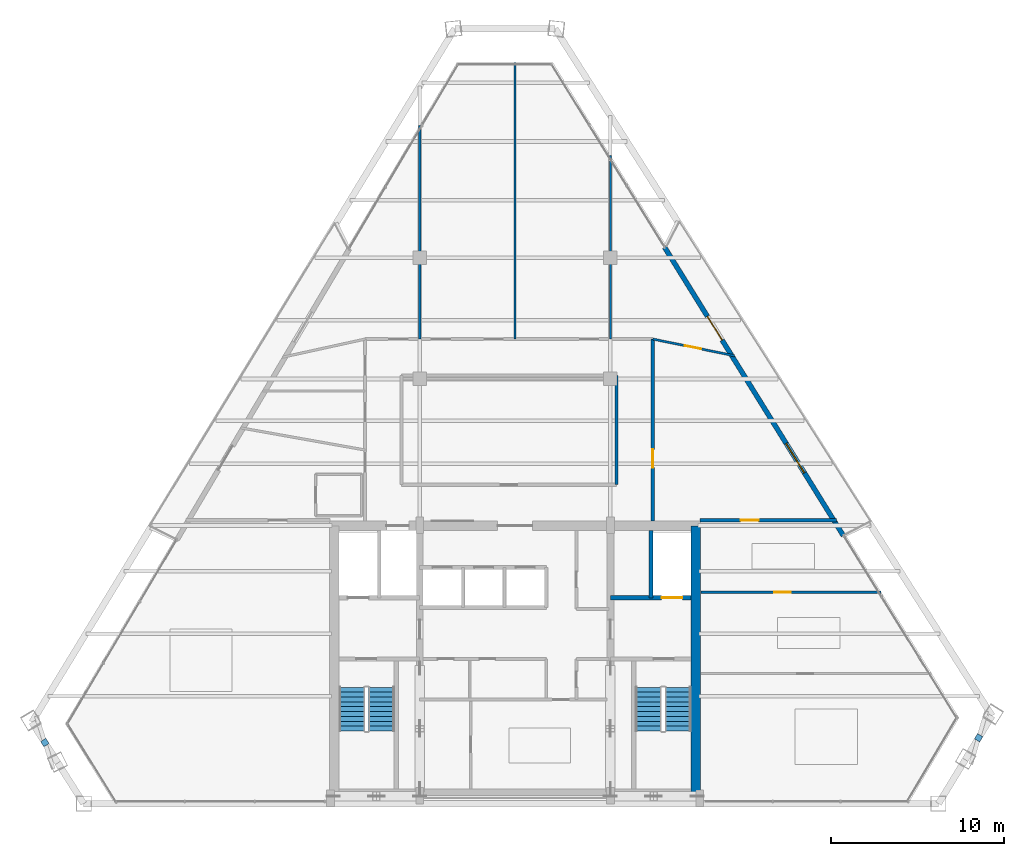
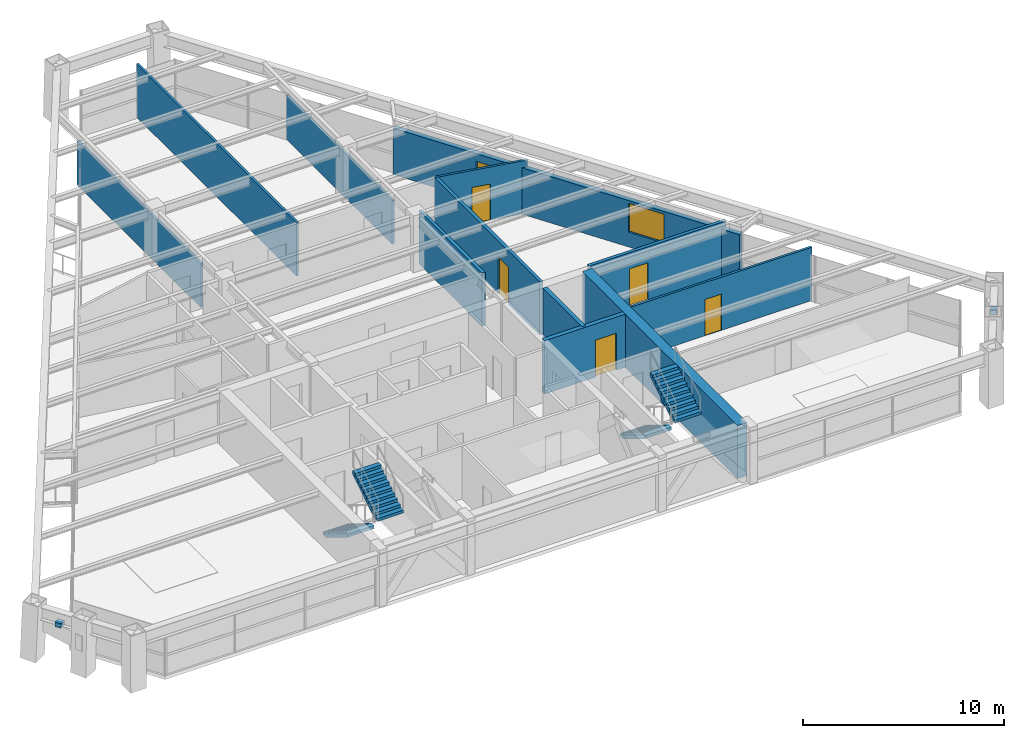
# One storey, part 10 of 12: 12 walls, 6 doors, 4 stair flights, 2 discrete accessories, 1 window, 7 openings, 2 elements without a shape of their own.
"""IFC4 building model written with IfcOpenShell, lengths in metres."""

from ifc_helpers import new_model, si_unit, direction, frame, frame_2d, origin, origin_2d, place, context, subcontext, project, spatial, polyline, rectangle, outline, extrude, source, transform, mapped, material, layer, layer_set, type_object, type_shapes, element, fill, aggregate, save


model = new_model("IFC4")

# Units and contexts
model_context = context("Model", 3, precision=1e-05, world=origin(), true_north=direction((0.0, 1.0)))
body_context = subcontext(model_context, "Body", "Model", "MODEL_VIEW")
ifc_project = project(units=[si_unit("LENGTHUNIT", "METRE"), si_unit("AREAUNIT", "SQUARE_METRE"), si_unit("VOLUMEUNIT", "CUBIC_METRE"), si_unit("PLANEANGLEUNIT", "RADIAN"), si_unit("MASSUNIT", "GRAM", prefix="KILO")], contexts=[model_context])

# Site, building, storey
site_placement = place(None, origin())
site = spatial("IfcSite", under=ifc_project, at=site_placement, CompositionType="ELEMENT")
building_placement = place(site_placement, origin())
building = spatial("IfcBuilding", under=site, at=building_placement, Name="Varnakhor Terracotta Tower", CompositionType="ELEMENT")
storey_placement = place(building_placement, frame((0.0, 0.0, 233.800048828125)))
storey = spatial("IfcBuildingStorey", under=building, at=storey_placement, Name="L60", CompositionType="ELEMENT", Elevation=233.800048828125)

# Walls
ifc_material_1 = material(Name="Concrete C50/60", Category="concrete")
ifc_layer_1 = layer(ifc_material_1, 0.550048828125, Name="Concrete C50/60")
ifc_layer_set_1 = layer_set([ifc_layer_1], Name="Concrete C50/60")
wall_type_1 = type_object("IfcWallType", Name="WAL-CORE-550", PredefinedType="SHEAR", material=ifc_layer_set_1)
wall_1_placement = place(storey_placement, frame((10.425048828125, 0.574951171875, 0.0), z_axis=(0.0, 0.0, 1.0), x_axis=(0.0, 1.0, 0.0)))
element("IfcWall", 1, at=wall_1_placement, inside=storey, type_object=wall_type_1, Name="L60 East Core Shear Wall", PredefinedType="SHEAR", context=body_context, shape_type="SweptSolid", body=[
    extrude(rectangle(XDim=15.449951171875, YDim=0.550048828125, at=frame_2d((7.72509765625, 0.0))), origin(), (0.0, 0.0, 1.0), 3.239990234375),
])
ifc_material_2 = material(Name="Fire-Rated Gypsum Stud Partition", Category="gypsum")
ifc_layer_2 = layer(ifc_material_2, 0.18505859375, Name="Fire-Rated Gypsum Stud Partition")
ifc_layer_set_2 = layer_set([ifc_layer_2], Name="Fire-Rated Gypsum Stud Partition")
wall_type_2 = type_object("IfcWallType", Name="WAL-CORR-185", PredefinedType="PARTITIONING", material=ifc_layer_set_2)
wall_2_placement = place(storey_placement, frame((5.85009765625, 18.39990234375, 0.0), z_axis=(0.0, 0.0, 1.0), x_axis=(0.0, 1.0, 0.0)))
element("IfcWall", 2, at=wall_2_placement, inside=storey, type_object=wall_type_2, Name="L60 Ring Inner East Wall", PredefinedType="PARTITIONING", context=body_context, shape_type="SweptSolid", body=[
    extrude(rectangle(XDim=6.300048828125, YDim=0.18505859375, at=frame_2d((3.14990234375, 0.0))), origin(), (0.0, 0.0, 1.0), 3.23193359375),
])

# Wall, opening, door
wall_3_placement = place(storey_placement, frame((7.949951171875, 16.300048828125, 0.0), z_axis=(0.0, 0.0, 1.0), x_axis=(0.0, 1.0, 0.0)))
wall_3 = element("IfcWall", 3, at=wall_3_placement, inside=storey, type_object=wall_type_2, Name="L60 Hotel East Corridor Wall", PredefinedType="PARTITIONING", context=body_context, shape_type="SweptSolid", body=[
    extrude(rectangle(XDim=10.5, YDim=0.18505859375, at=frame_2d((5.25, 0.0))), origin(), (0.0, 0.0, 1.0), 3.23193359375),
])
opening_1_placement = place(wall_3_placement, frame((3.08837890625, 0.0, 0.0)))
opening_1 = element("IfcOpeningElement", 4, at=opening_1_placement, cuts=wall_3, Name="Opening DR-95", PredefinedType="OPENING", context=body_context, shape_type="SweptSolid", body=[
    extrude(rectangle(XDim=1.050048828125, YDim=2.25, at=frame_2d((0.52490234375, 1.125))), frame((0.0, 0.1025390625, 0.0), z_axis=(0.0, -1.0, 0.0), x_axis=(1.0, 0.0, 0.0)), (0.0, 0.0, 1.0), 0.205078125),
])
ifc_material_3 = material(Name="Solid-Core Timber Tenant/Hotel Entrance Door", Category="wood")
door_type_1 = type_object("IfcDoorType", Name="DR-SUITE-1050X2250", OperationType="NOTDEFINED", PredefinedType="DOOR", material=ifc_material_3)
shared_shape_1 = source(origin(), body_context, "Body", "SweptSolid", [
    extrude(rectangle(XDim=1.050048828125, YDim=2.25, at=frame_2d((0.52490234375, 1.125))), frame((0.0, 0.02490234375, 0.0), z_axis=(0.0, -1.0, 0.0), x_axis=(1.0, 0.0, 0.0)), (0.0, 0.0, 1.0), 0.050048828125),
])
type_shapes(door_type_1, [shared_shape_1])
door_1_placement = place(opening_1_placement, origin())
door_1 = element("IfcDoor", 5, at=door_1_placement, inside=storey, type_object=door_type_1, Name="L60 East Room 1 Entry Door", OperationType="SINGLE_SWING_RIGHT", OverallHeight=2.25, OverallWidth=1.050048828125, PredefinedType="DOOR", context=body_context, shape_type="MappedRepresentation", body=[
    mapped(shared_shape_1, transform((0.0, 0.0, 0.0), scale=1.0)),
])
fill(opening_1, door_1)

wall_4_placement = place(storey_placement, frame((10.679931640625, 16.35009765625, 0.0), z_axis=(0.0, 0.0, 1.0), x_axis=(1.0, 0.0, 0.0)))
wall_4 = element("IfcWall", 6, at=wall_4_placement, inside=storey, type_object=wall_type_2, Name="L60 South East Guest Entry Wall", PredefinedType="PARTITIONING", context=body_context, shape_type="SweptSolid", body=[
    extrude(rectangle(XDim=7.86083984375, YDim=0.18505859375, at=frame_2d((3.930419921875, 0.0))), origin(), (0.0, 0.0, 1.0), 3.23193359375),
])
opening_2_placement = place(wall_4_placement, frame((2.328369140625, 0.0, 0.0)))
opening_2 = element("IfcOpeningElement", 7, at=opening_2_placement, cuts=wall_4, Name="Opening DR-95", PredefinedType="OPENING", context=body_context, shape_type="SweptSolid", body=[
    extrude(rectangle(XDim=1.050048828125, YDim=2.25, at=frame_2d((0.52490234375, 1.125))), frame((0.0, 0.1025390625, 0.0), z_axis=(0.0, -1.0, 0.0), x_axis=(1.0, 0.0, 0.0)), (0.0, 0.0, 1.0), 0.205078125),
])
door_2_placement = place(opening_2_placement, origin())
door_2 = element("IfcDoor", 8, at=door_2_placement, inside=storey, type_object=door_type_1, Name="L60 SE Suite Entry Door", OperationType="SINGLE_SWING_LEFT", OverallHeight=2.25, OverallWidth=1.050048828125, PredefinedType="DOOR", context=body_context, shape_type="MappedRepresentation", body=[
    mapped(shared_shape_1, transform((0.0, 0.0, 0.0), scale=1.0)),
])
fill(opening_2, door_2)

# Wall, openings, door, window
ifc_material_4 = material(Name="Extruded Architectural Terracotta Assembly", Category="masonry")
ifc_layer_3 = layer(ifc_material_4, 0.280029296875, Name="Extruded Architectural Terracotta Assembly")
ifc_layer_set_3 = layer_set([ifc_layer_3], Name="Extruded Architectural Terracotta Assembly")
wall_type_3 = type_object("IfcWallType", Name="WAL-EXT-TERRACOTTA-280", PredefinedType="SOLIDWALL", material=ifc_layer_set_3)
wall_5_placement = place(storey_placement, frame((8.62451171875, 32.0986328125, 0.0), z_axis=(0.0, 0.0, 1.0), x_axis=(0.526909754256, -0.849921238039, 0.0)))
wall_5 = element("IfcWall", 9, at=wall_5_placement, inside=storey, type_object=wall_type_3, Name="L60 E Loggia Insulated Terracotta Wall", PredefinedType="SOLIDWALL", context=body_context, shape_type="SweptSolid", body=[
    extrude(rectangle(XDim=19.572021484375, YDim=0.280029296875, at=frame_2d((9.7861328125, 0.0))), origin(), (0.0, 0.0, 1.0), 2.820068359375),
])
opening_3_placement = place(wall_5_placement, frame((4.697265625, 0.0, 0.0)))
opening_3 = element("IfcOpeningElement", 10, at=opening_3_placement, cuts=wall_5, Name="Opening DR-62", PredefinedType="OPENING", context=body_context, shape_type="SweptSolid", body=[
    extrude(rectangle(XDim=1.60009765625, YDim=2.35009765625, at=frame_2d((0.800048828125, 1.175048828125))), frame((0.0, 0.14990234375, 0.0), z_axis=(0.0, -1.0, 0.0), x_axis=(1.0, 0.0, 0.0)), (0.0, 0.0, 1.0), 0.300048828125),
])
opening_4_placement = place(wall_5_placement, frame((13.30908203125, 0.0, 0.89990234375)))
opening_4 = element("IfcOpeningElement", 11, at=opening_4_placement, cuts=wall_5, Name="Opening WN-63", PredefinedType="OPENING", context=body_context, shape_type="SweptSolid", body=[
    extrude(rectangle(XDim=2.0, YDim=1.75, at=frame_2d((1.0, 0.875))), frame((0.0, 0.14990234375, 0.0), z_axis=(0.0, -1.0, 0.0), x_axis=(1.0, 0.0, 0.0)), (0.0, 0.0, 1.0), 0.300048828125),
])
ifc_material_5 = material(Name="Thermally Broken Sliding Glass Loggia Door", Category="glass")
door_type_2 = type_object("IfcDoorType", Name="DR-EXT-LOGGIA-1600X2350", OperationType="NOTDEFINED", PredefinedType="DOOR", material=ifc_material_5)
shared_shape_2 = source(origin(), body_context, "Body", "SweptSolid", [
    extrude(rectangle(XDim=1.60009765625, YDim=2.35009765625, at=frame_2d((0.800048828125, 1.175048828125))), frame((0.0, 0.02490234375, 0.0), z_axis=(0.0, -1.0, 0.0), x_axis=(1.0, 0.0, 0.0)), (0.0, 0.0, 1.0), 0.050048828125),
])
type_shapes(door_type_2, [shared_shape_2])
door_3_placement = place(opening_3_placement, origin())
door_3 = element("IfcDoor", 12, at=door_3_placement, inside=storey, type_object=door_type_2, Name="L60 E Recessed Loggia Sliding Door", OperationType="SLIDING_TO_RIGHT", OverallHeight=2.35009765625, OverallWidth=1.60009765625, PredefinedType="DOOR", context=body_context, shape_type="MappedRepresentation", body=[
    mapped(shared_shape_2, transform((0.0, 0.0, 0.0), scale=1.0)),
])
fill(opening_3, door_3)
ifc_material_6 = material(Name="Solar-Control Low-E Insulated Glass Unit", Category="glass")
window_type = type_object("IfcWindowType", Name="WIN-HTL-2000X1950", PartitioningType="SINGLE_PANEL", PredefinedType="WINDOW", material=ifc_material_6)
shared_shape_3 = source(origin(), body_context, "Body", "SweptSolid", [
    extrude(rectangle(XDim=2.0, YDim=1.75, at=frame_2d((1.0, 0.875))), frame((0.0, 0.030029296875, 0.0), z_axis=(0.0, -1.0, 0.0), x_axis=(1.0, 0.0, 0.0)), (0.0, 0.0, 1.0), 0.06005859375),
])
type_shapes(window_type, [shared_shape_3])
window_placement = place(opening_4_placement, origin())
window = element("IfcWindow", 13, at=window_placement, inside=storey, type_object=window_type, Name="L60 E Facet Punched Window", OverallHeight=1.75, OverallWidth=2.0, PartitioningType="SINGLE_PANEL", PredefinedType="WINDOW", context=body_context, shape_type="MappedRepresentation", body=[
    mapped(shared_shape_3, transform((0.0, 0.0, 0.0), scale=1.0)),
])
fill(opening_4, window)

# Wall, opening, door
ifc_material_7 = material(Name="Acoustic Hotel Room Partition", Category="gypsum")
ifc_layer_4 = layer(ifc_material_7, 0.1298828125, Name="Acoustic Hotel Room Partition")
ifc_layer_set_4 = layer_set([ifc_layer_4], Name="Acoustic Hotel Room Partition")
wall_type_4 = type_object("IfcWallType", Name="WAL-PART-130", PredefinedType="PARTITIONING", material=ifc_layer_set_4)
wall_6_placement = place(storey_placement, frame((7.949951171875, 26.800048828125, 0.0), z_axis=(0.0, 0.0, 1.0), x_axis=(0.979737591197, -0.200285427317, 0.0)))
wall_6 = element("IfcWall", 14, at=wall_6_placement, inside=storey, type_object=wall_type_4, Name="L60 North East Suite South Wall", PredefinedType="PARTITIONING", context=body_context, shape_type="SweptSolid", body=[
    extrude(rectangle(XDim=4.806396484375, YDim=0.1298828125, at=frame_2d((2.4033203125, 0.0))), origin(), (0.0, 0.0, 1.0), 3.23193359375),
])
opening_5_placement = place(wall_6_placement, frame((1.88720703125, 0.0, 0.0)))
opening_5 = element("IfcOpeningElement", 15, at=opening_5_placement, cuts=wall_6, Name="Opening DR-94", PredefinedType="OPENING", context=body_context, shape_type="SweptSolid", body=[
    extrude(rectangle(XDim=0.949951171875, YDim=2.199951171875, at=frame_2d((0.47509765625, 1.10009765625))), frame((0.0, 0.074951171875, 0.0), z_axis=(0.0, -1.0, 0.0), x_axis=(1.0, 0.0, 0.0)), (0.0, 0.0, 1.0), 0.14990234375),
])
ifc_material_8 = material(Name="Acoustic Glazed-Vision Timber Office Door", Category="wood")
door_type_3 = type_object("IfcDoorType", Name="DR-OFF-950X2200", OperationType="NOTDEFINED", PredefinedType="DOOR", material=ifc_material_8)
shared_shape_4 = source(origin(), body_context, "Body", "SweptSolid", [
    extrude(rectangle(XDim=0.949951171875, YDim=2.199951171875, at=frame_2d((0.47509765625, 1.10009765625))), frame((0.0, 0.02490234375, 0.0), z_axis=(0.0, -1.0, 0.0), x_axis=(1.0, 0.0, 0.0)), (0.0, 0.0, 1.0), 0.050048828125),
])
type_shapes(door_type_3, [shared_shape_4])
door_4_placement = place(opening_5_placement, origin())
door_4 = element("IfcDoor", 16, at=door_4_placement, inside=storey, type_object=door_type_3, Name="L60 Club Concierge Reception NE Door", OperationType="SINGLE_SWING_RIGHT", OverallHeight=2.199951171875, OverallWidth=0.949951171875, PredefinedType="DOOR", context=body_context, shape_type="MappedRepresentation", body=[
    mapped(shared_shape_4, transform((0.0, 0.0, 0.0), scale=1.0)),
])
fill(opening_5, door_4)

# Walls
wall_7_placement = place(storey_placement, frame((-5.5, 26.800048828125, 0.0), z_axis=(0.0, 0.0, 1.0), x_axis=(0.0, 1.0, 0.0)))
element("IfcWall", 17, at=wall_7_placement, inside=storey, type_object=wall_type_4, Name="L60 North West Column Wall", PredefinedType="PARTITIONING", context=body_context, shape_type="SweptSolid", body=[
    extrude(rectangle(XDim=12.31787109375, YDim=0.1298828125, at=frame_2d((6.158935546875, 0.0))), origin(), (0.0, 0.0, 1.0), 2.682861328125),
])
wall_8_placement = place(storey_placement, frame((5.5, 26.800048828125, 0.0), z_axis=(0.0, 0.0, 1.0), x_axis=(0.0, 1.0, 0.0)))
element("IfcWall", 18, at=wall_8_placement, inside=storey, type_object=wall_type_4, Name="L60 North East Column Wall", PredefinedType="PARTITIONING", context=body_context, shape_type="SweptSolid", body=[
    extrude(rectangle(XDim=10.585205078125, YDim=0.1298828125, at=frame_2d((5.29248046875, 0.0))), origin(), (0.0, 0.0, 1.0), 2.682861328125),
])
wall_9_placement = place(storey_placement, frame((0.0, 26.800048828125, 0.0), z_axis=(0.0, 0.0, 1.0), x_axis=(0.0, 1.0, 0.0)))
element("IfcWall", 19, at=wall_9_placement, inside=storey, type_object=wall_type_4, Name="L60 North Suite Split 1", PredefinedType="PARTITIONING", context=body_context, shape_type="SweptSolid", body=[
    extrude(rectangle(XDim=15.9482421875, YDim=0.1298828125, at=frame_2d((7.97412109375, 0.0))), origin(), (0.0, 0.0, 1.0), 3.23193359375),
])

# Wall, opening, door
wall_10_placement = place(storey_placement, frame((10.719970703125, 12.199951171875, 0.0), z_axis=(0.0, 0.0, 1.0), x_axis=(1.0, 0.0, 0.0)))
wall_10 = element("IfcWall", 20, at=wall_10_placement, inside=storey, type_object=wall_type_4, Name="L60 SE Key Split 2", PredefinedType="PARTITIONING", context=body_context, shape_type="SweptSolid", body=[
    extrude(rectangle(XDim=10.3935546875, YDim=0.1298828125, at=frame_2d((5.19677734375, 0.0))), origin(), (0.0, 0.0, 1.0), 3.23193359375),
])
opening_6_placement = place(wall_10_placement, frame((4.236083984375, 0.0, 0.0)))
opening_6 = element("IfcOpeningElement", 21, at=opening_6_placement, cuts=wall_10, Name="Opening DR-94", PredefinedType="OPENING", context=body_context, shape_type="SweptSolid", body=[
    extrude(rectangle(XDim=0.949951171875, YDim=2.199951171875, at=frame_2d((0.47509765625, 1.10009765625))), frame((0.0, 0.074951171875, 0.0), z_axis=(0.0, -1.0, 0.0), x_axis=(1.0, 0.0, 0.0)), (0.0, 0.0, 1.0), 0.14990234375),
])
door_5_placement = place(opening_6_placement, origin())
door_5 = element("IfcDoor", 22, at=door_5_placement, inside=storey, type_object=door_type_3, Name="L60 SE Suite Connect Door 2", OperationType="SINGLE_SWING_LEFT", OverallHeight=2.199951171875, OverallWidth=0.949951171875, PredefinedType="DOOR", context=body_context, shape_type="MappedRepresentation", body=[
    mapped(shared_shape_4, transform((0.0, 0.0, 0.0), scale=1.0)),
])
fill(opening_6, door_5)

# Wall
ifc_material_9 = material(Name="Concrete C40/50", Category="concrete")
ifc_layer_5 = layer(ifc_material_9, 0.219970703125, Name="Concrete C40/50")
ifc_layer_set_5 = layer_set([ifc_layer_5], Name="Concrete C40/50")
wall_type_5 = type_object("IfcWallType", Name="WAL-SHAFT-220", PredefinedType="SOLIDWALL", material=ifc_layer_set_5)
wall_11_placement = place(storey_placement, frame((7.840087890625, 11.8701171875, 0.0), z_axis=(0.0, 0.0, 1.0), x_axis=(0.0, 1.0, 0.0)))
element("IfcWall", 23, at=wall_11_placement, inside=storey, type_object=wall_type_5, Name="L60 Lift FFL-2 and Riser Divider Wall", PredefinedType="SOLIDWALL", context=body_context, shape_type="SweptSolid", body=[
    extrude(rectangle(XDim=3.8798828125, YDim=0.219970703125, at=frame_2d((1.93994140625, 0.0))), origin(), (0.0, 0.0, 1.0), 3.239990234375),
])

# Wall, opening, door
ifc_layer_6 = layer(ifc_material_9, 0.25, Name="Concrete C40/50")
ifc_layer_set_6 = layer_set([ifc_layer_6], Name="Concrete C40/50")
wall_type_6 = type_object("IfcWallType", Name="WAL-SHAFT-250", PredefinedType="SOLIDWALL", material=ifc_layer_set_6)
wall_12_placement = place(storey_placement, frame((10.14990234375, 11.8701171875, 0.0), z_axis=(0.0, 0.0, 1.0), x_axis=(-1.0, 0.0, 0.0)))
wall_12 = element("IfcWall", 24, at=wall_12_placement, inside=storey, type_object=wall_type_6, Name="L60 Lift FFL-2 Shaft Front Wall", PredefinedType="SOLIDWALL", context=body_context, shape_type="SweptSolid", body=[
    extrude(rectangle(XDim=4.64990234375, YDim=0.25, at=frame_2d((2.324951171875, 0.0))), origin(), (0.0, 0.0, 1.0), 3.239990234375),
])
opening_7_placement = place(wall_12_placement, frame((0.5, 0.0, 0.0)))
opening_7 = element("IfcOpeningElement", 25, at=opening_7_placement, cuts=wall_12, Name="Opening LD-02", PredefinedType="OPENING", context=body_context, shape_type="SweptSolid", body=[
    extrude(rectangle(XDim=1.199951171875, YDim=2.25, at=frame_2d((0.60009765625, 1.125))), frame((0.0, 0.135009765625, 0.0), z_axis=(0.0, -1.0, 0.0), x_axis=(1.0, 0.0, 0.0)), (0.0, 0.0, 1.0), 0.27001953125),
])
ifc_material_10 = material(Name="Firefighting Stretcher Sliding Lift Landing Door", Category="steel")
door_type_4 = type_object("IfcDoorType", Name="LD-FFL-1200X2250", OperationType="NOTDEFINED", PredefinedType="DOOR", material=ifc_material_10)
shared_shape_5 = source(origin(), body_context, "Body", "SweptSolid", [
    extrude(rectangle(XDim=1.199951171875, YDim=2.25, at=frame_2d((0.60009765625, 1.125))), frame((0.0, 0.02490234375, 0.0), z_axis=(0.0, -1.0, 0.0), x_axis=(1.0, 0.0, 0.0)), (0.0, 0.0, 1.0), 0.050048828125),
])
type_shapes(door_type_4, [shared_shape_5])
door_6_placement = place(opening_7_placement, origin())
door_6 = element("IfcDoor", 26, at=door_6_placement, inside=storey, type_object=door_type_4, Name="L60 Firefighting Lift FFL-2 Landing Door", OperationType="SLIDING_TO_RIGHT", OverallHeight=2.25, OverallWidth=1.199951171875, PredefinedType="DOOR", context=body_context, shape_type="MappedRepresentation", body=[
    mapped(shared_shape_5, transform((0.0, 0.0, 0.0), scale=1.0)),
])
fill(opening_7, door_6)

# Stair, stair flights
stair_type = type_object("IfcStairType", Name="STR-CORE-HOTEL-1500", PredefinedType="HALF_TURN_STAIR", material=ifc_material_9)
stair_1_placement = place(storey_placement, origin())
stair_1 = element("IfcStair", 27, at=stair_1_placement, inside=storey, type_object=stair_type, Name="L60 Core Exit Stair ST-1", PredefinedType="HALF_TURN_STAIR")
stair_flight_type = type_object("IfcStairFlightType", Name="FLT-HOTEL-1500", PredefinedType="STRAIGHT", material=ifc_material_9)
stair_flight_1_placement = place(storey_placement, frame((-9.39990234375, 6.7099609375, 0.0), z_axis=(0.0, 0.0, 1.0), x_axis=(0.0, -1.0, 0.0)))
stair_flight_1 = element("IfcStairFlight", 28, at=stair_flight_1_placement, type_object=stair_flight_type, Name="ST-1 flight 1", NumberOfRisers=10, NumberOfTreads=9, PredefinedType="STRAIGHT", RiserHeight=0.1725, TreadLength=0.28, context=body_context, shape_type="SweptSolid", body=[
    extrude(outline(polyline([(0.0, 0.0), (0.0, 0.172607421875), (0.280029296875, 0.172607421875), (0.280029296875, 0.344970703125), (0.56005859375, 0.344970703125), (0.56005859375, 0.517578125), (0.840087890625, 0.517578125), (0.840087890625, 0.68994140625), (1.1201171875, 0.68994140625), (1.1201171875, 0.862548828125), (1.39990234375, 0.862548828125), (1.39990234375, 1.034912109375), (1.679931640625, 1.034912109375), (1.679931640625, 1.20751953125), (1.9599609375, 1.20751953125), (1.9599609375, 1.3798828125), (2.239990234375, 1.3798828125), (2.239990234375, 1.552490234375), (2.52001953125, 1.552490234375), (2.52001953125, 1.72509765625), (2.52001953125, 1.36474609375), (0.304931640625, 0.0), (0.0, 0.0)])), frame((0.0, 0.75, 0.0), z_axis=(0.0, -1.0, 0.0), x_axis=(1.0, 0.0, 0.0)), (0.0, 0.0, 1.0), 1.5),
])
stair_flight_2_placement = place(storey_placement, frame((-7.699951171875, 4.18994140625, 1.724853515625), z_axis=(0.0, 0.0, 1.0), x_axis=(0.0, 1.0, 0.0)))
stair_flight_2 = element("IfcStairFlight", 29, at=stair_flight_2_placement, type_object=stair_flight_type, Name="ST-1 flight 2", NumberOfRisers=10, NumberOfTreads=9, PredefinedType="STRAIGHT", RiserHeight=0.1725, TreadLength=0.28, context=body_context, shape_type="SweptSolid", body=[
    extrude(outline(polyline([(0.0, 0.0), (0.0, 0.172607421875), (0.280029296875, 0.172607421875), (0.280029296875, 0.344970703125), (0.56005859375, 0.344970703125), (0.56005859375, 0.517578125), (0.840087890625, 0.517578125), (0.840087890625, 0.68994140625), (1.1201171875, 0.68994140625), (1.1201171875, 0.862548828125), (1.39990234375, 0.862548828125), (1.39990234375, 1.034912109375), (1.679931640625, 1.034912109375), (1.679931640625, 1.20751953125), (1.9599609375, 1.20751953125), (1.9599609375, 1.3798828125), (2.239990234375, 1.3798828125), (2.239990234375, 1.552490234375), (2.52001953125, 1.552490234375), (2.52001953125, 1.72509765625), (2.52001953125, 1.36474609375), (0.304931640625, 0.0), (0.0, 0.0)])), frame((0.0, 0.75, 0.0), z_axis=(0.0, -1.0, 0.0), x_axis=(1.0, 0.0, 0.0)), (0.0, 0.0, 1.0), 1.5),
])
aggregate(stair_1, [stair_flight_1, stair_flight_2])

stair_2_placement = place(storey_placement, origin())
stair_2 = element("IfcStair", 30, at=stair_2_placement, inside=storey, type_object=stair_type, Name="L60 Core Exit Stair ST-2", PredefinedType="HALF_TURN_STAIR")
stair_flight_3_placement = place(storey_placement, frame((7.699951171875, 6.7099609375, 0.0), z_axis=(0.0, 0.0, 1.0), x_axis=(0.0, -1.0, 0.0)))
stair_flight_3 = element("IfcStairFlight", 31, at=stair_flight_3_placement, type_object=stair_flight_type, Name="ST-2 flight 1", NumberOfRisers=10, NumberOfTreads=9, PredefinedType="STRAIGHT", RiserHeight=0.1725, TreadLength=0.28, context=body_context, shape_type="SweptSolid", body=[
    extrude(outline(polyline([(0.0, 0.0), (0.0, 0.172607421875), (0.280029296875, 0.172607421875), (0.280029296875, 0.344970703125), (0.56005859375, 0.344970703125), (0.56005859375, 0.517578125), (0.840087890625, 0.517578125), (0.840087890625, 0.68994140625), (1.1201171875, 0.68994140625), (1.1201171875, 0.862548828125), (1.39990234375, 0.862548828125), (1.39990234375, 1.034912109375), (1.679931640625, 1.034912109375), (1.679931640625, 1.20751953125), (1.9599609375, 1.20751953125), (1.9599609375, 1.3798828125), (2.239990234375, 1.3798828125), (2.239990234375, 1.552490234375), (2.52001953125, 1.552490234375), (2.52001953125, 1.72509765625), (2.52001953125, 1.36474609375), (0.304931640625, 0.0), (0.0, 0.0)])), frame((0.0, 0.75, 0.0), z_axis=(0.0, -1.0, 0.0), x_axis=(1.0, 0.0, 0.0)), (0.0, 0.0, 1.0), 1.5),
])
stair_flight_4_placement = place(storey_placement, frame((9.39990234375, 4.18994140625, 1.724853515625), z_axis=(0.0, 0.0, 1.0), x_axis=(0.0, 1.0, 0.0)))
stair_flight_4 = element("IfcStairFlight", 32, at=stair_flight_4_placement, type_object=stair_flight_type, Name="ST-2 flight 2", NumberOfRisers=10, NumberOfTreads=9, PredefinedType="STRAIGHT", RiserHeight=0.1725, TreadLength=0.28, context=body_context, shape_type="SweptSolid", body=[
    extrude(outline(polyline([(0.0, 0.0), (0.0, 0.172607421875), (0.280029296875, 0.172607421875), (0.280029296875, 0.344970703125), (0.56005859375, 0.344970703125), (0.56005859375, 0.517578125), (0.840087890625, 0.517578125), (0.840087890625, 0.68994140625), (1.1201171875, 0.68994140625), (1.1201171875, 0.862548828125), (1.39990234375, 0.862548828125), (1.39990234375, 1.034912109375), (1.679931640625, 1.034912109375), (1.679931640625, 1.20751953125), (1.9599609375, 1.20751953125), (1.9599609375, 1.3798828125), (2.239990234375, 1.3798828125), (2.239990234375, 1.552490234375), (2.52001953125, 1.552490234375), (2.52001953125, 1.72509765625), (2.52001953125, 1.36474609375), (0.304931640625, 0.0), (0.0, 0.0)])), frame((0.0, 0.75, 0.0), z_axis=(0.0, -1.0, 0.0), x_axis=(1.0, 0.0, 0.0)), (0.0, 0.0, 1.0), 1.5),
])
aggregate(stair_2, [stair_flight_3, stair_flight_4])

# Discrete accessories
ifc_material_11 = material(Name="Stainless Steel Fixing Bracket", Category="steel")
discrete_accessory_type = type_object("IfcDiscreteAccessoryType", Name="BRACKET-TERRACOTTA-SCREEN", PredefinedType="BRACKET", material=ifc_material_11)
shared_shape_6 = source(origin(), body_context, "Body", "SweptSolid", [
    extrude(rectangle(XDim=0.35009765625, YDim=0.35009765625, at=origin_2d()), origin(), (0.0, 0.0, 1.0), 0.280029296875),
])
type_shapes(discrete_accessory_type, [shared_shape_6])
for number, where, z_axis, x_axis, name in (
    (33, (26.74560546875, 3.79736328125, 2.3369140625), (0.0, 0.0, 1.0), (0.520577544241, 0.853814394603, 0.0), "L60 E Screen Fixing Bracket"),
    (34, (-27.1259765625, 3.523193359375, 2.3369140625), (0.0, 0.0, 1.0), (0.536592861915, -0.843841276865, 0.0), "L60 W Screen Fixing Bracket"),
):
    element("IfcDiscreteAccessory", number, at=place(storey_placement, frame(where, z_axis=z_axis, x_axis=x_axis)), inside=storey, type_object=discrete_accessory_type, Name=name, PredefinedType="BRACKET", context=body_context, shape_type="MappedRepresentation", body=[
        mapped(shared_shape_6, transform((0.0, 0.0, 0.0), scale=1.0)),
    ])

save(model, "model.ifc")
